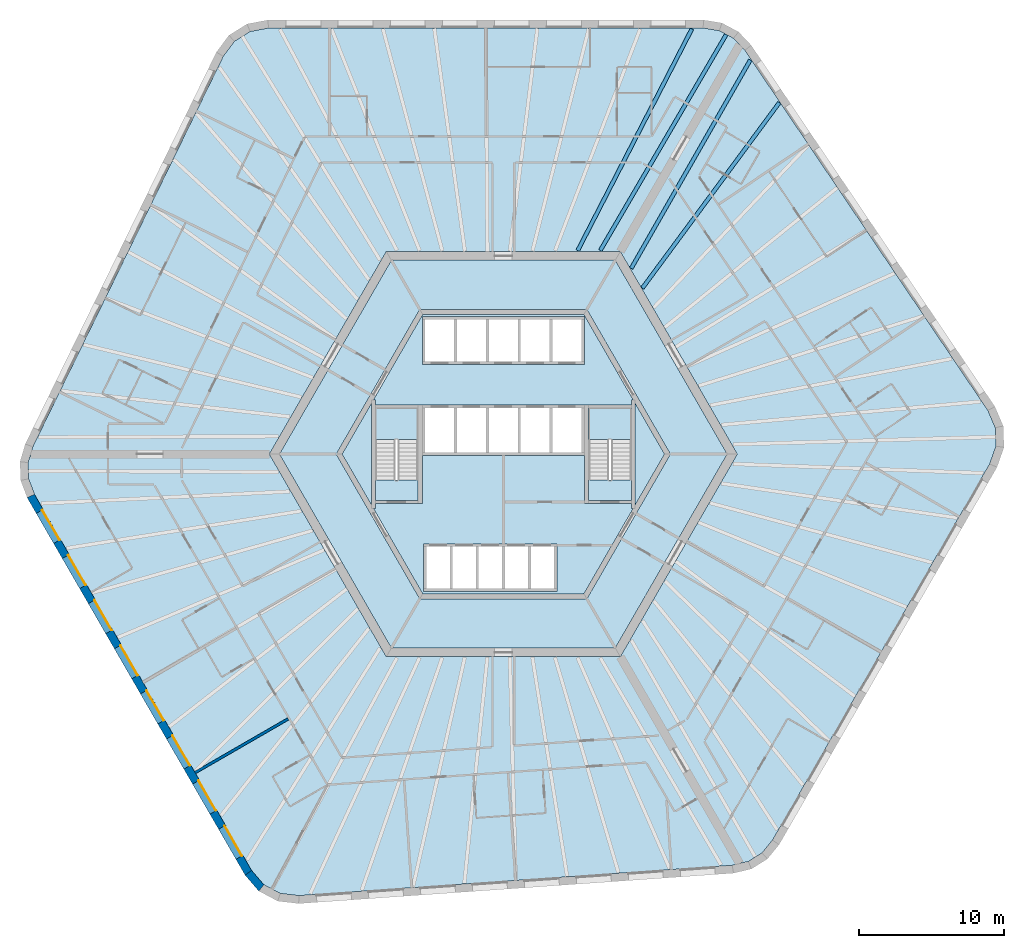
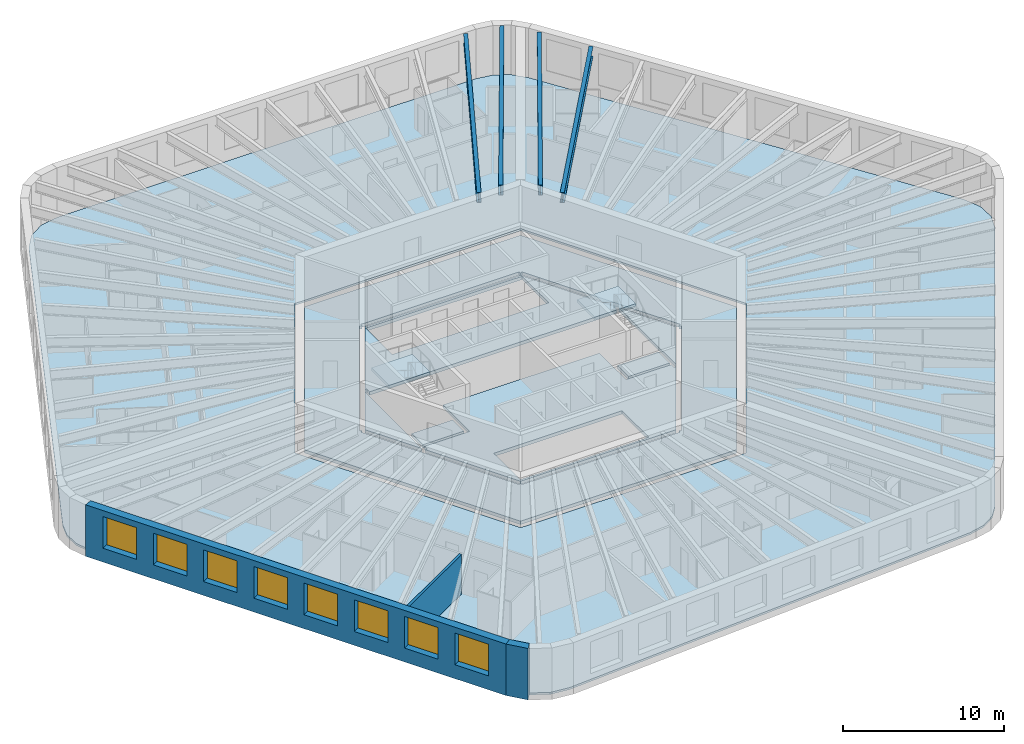
# One storey, part 2 of 12: 10 slabs, 8 windows, 4 beams, 3 walls, 8 openings, 2 elements without a shape of their own.
"""IFC4 building model written with IfcOpenShell, lengths in metres."""

from ifc_helpers import new_model, si_unit, direction, frame, frame_2d, origin, origin_2d, place, context, subcontext, project, spatial, polyline, rectangle, i_section, outline, extrude, material, layer, layer_set, material_profile, profile_set, type_object, element, fill, aggregate, save


model = new_model("IFC4")

# Units and contexts
model_context = context("Model", 3, precision=1e-05, world=origin(), true_north=direction((0.0, 1.0)))
body_context = subcontext(model_context, "Body", "Model", "MODEL_VIEW")
ifc_project = project(units=[si_unit("LENGTHUNIT", "METRE"), si_unit("AREAUNIT", "SQUARE_METRE"), si_unit("VOLUMEUNIT", "CUBIC_METRE"), si_unit("PLANEANGLEUNIT", "RADIAN"), si_unit("MASSUNIT", "GRAM", prefix="KILO")], contexts=[model_context])

# Site, building, storey
site_placement = place(None, origin())
site = spatial("IfcSite", under=ifc_project, at=site_placement, CompositionType="ELEMENT")
building_placement = place(site_placement, origin())
building = spatial("IfcBuilding", under=site, at=building_placement, Name="Tarnside Tower", CompositionType="ELEMENT")
storey_placement = place(building_placement, frame((0.0, 0.0, 76.5)))
storey = spatial("IfcBuildingStorey", under=building, at=storey_placement, Name="L16", CompositionType="ELEMENT", Elevation=76.5)

# Beams
ifc_material_1 = material(Name="Steel S355", Category="steel")
ifc_material_profile = material_profile(ifc_material_1, i_section(OverallWidth=0.2666015625, OverallDepth=0.76220703125, WebThickness=0.014404296875, FlangeThickness=0.021484375, FilletRadius=0.0166015625, at=origin_2d()), Name="UB 762x267x173")
ifc_profile_set = profile_set([ifc_material_profile], Name="Steel S355")
beam_type = type_object("IfcBeamType", Name="Floor beam UB 762x267x173", PredefinedType="BEAM", material=ifc_profile_set)
beam_1_placement = place(storey_placement, frame((13.0283203125, 29.37890625, 3.368896484375), z_axis=(-0.457973226459, -0.888965985765, 0.0), x_axis=(0.888965985765, -0.457973226459, 0.0)))
element("IfcBeam", 1, at=beam_1_placement, inside=storey, type_object=beam_type, Name="Floor beam F1.01", PredefinedType="BEAM", context=body_context, shape_type="SweptSolid", body=[
    extrude(i_section(OverallWidth=0.2666015625, OverallDepth=0.76220703125, WebThickness=0.014404296875, FlangeThickness=0.021484375, FilletRadius=0.0166015625, at=origin_2d()), origin(), (0.0, 0.0, 1.0), 17.219970703125),
])
beam_2_placement = place(storey_placement, frame((19.072021484375, 24.28857421875, 3.368896484375), z_axis=(-0.593986893499, -0.804474717037, 0.0), x_axis=(0.804474717037, -0.593986893499, 0.0)))
element("IfcBeam", 2, at=beam_2_placement, inside=storey, type_object=beam_type, Name="Floor beam F6.08", PredefinedType="BEAM", context=body_context, shape_type="SweptSolid", body=[
    extrude(i_section(OverallWidth=0.2666015625, OverallDepth=0.76220703125, WebThickness=0.014404296875, FlangeThickness=0.021484375, FilletRadius=0.0166015625, at=origin_2d()), origin(), (0.0, 0.0, 1.0), 15.934326171875),
])
beam_3_placement = place(storey_placement, frame((17.066162109375, 27.235107421875, 3.368896484375), z_axis=(-0.49622611841, -0.868193319145, 0.0), x_axis=(0.868193319145, -0.49622611841, 0.0)))
element("IfcBeam", 3, at=beam_3_placement, inside=storey, type_object=beam_type, Name="Floor beam F6.09", PredefinedType="BEAM", context=body_context, shape_type="SweptSolid", body=[
    extrude(i_section(OverallWidth=0.2666015625, OverallDepth=0.76220703125, WebThickness=0.014404296875, FlangeThickness=0.021484375, FilletRadius=0.0166015625, at=origin_2d()), origin(), (0.0, 0.0, 1.0), 16.586669921875),
])
beam_4_placement = place(storey_placement, frame((15.4013671875, 28.990478515625, 3.368896484375), z_axis=(-0.503858723096, -0.863786077198, 0.0), x_axis=(0.863786077198, -0.503858723096, 0.0)))
element("IfcBeam", 4, at=beam_4_placement, inside=storey, type_object=beam_type, Name="Floor beam C6", PredefinedType="BEAM", context=body_context, shape_type="SweptSolid", body=[
    extrude(i_section(OverallWidth=0.2666015625, OverallDepth=0.76220703125, WebThickness=0.014404296875, FlangeThickness=0.021484375, FilletRadius=0.0166015625, at=origin_2d()), origin(), (0.0, 0.0, 1.0), 17.2744140625),
])

# Slabs
ifc_material_2 = material(Name="Concrete C35/45", Category="concrete")
ifc_layer_1 = layer(ifc_material_2, 0.14990234375)
ifc_layer_set_1 = layer_set([ifc_layer_1], Name="Composite floor slab 150")
slab_type_1 = type_object("IfcSlabType", Name="Composite floor slab 150", PredefinedType="FLOOR", material=ifc_layer_set_1)
slab_1_placement = place(storey_placement, frame((0.0, 0.0, -0.14990234375)))
element("IfcSlab", 5, at=slab_1_placement, inside=storey, type_object=slab_type_1, Name="Floor slab L16", PredefinedType="FLOOR", context=body_context, shape_type="SweptSolid", body=[
    extrude(outline(polyline([(14.927490234375, 29.264892578125), (15.91455078125, 28.740234375), (16.697265625, 27.91064453125), (33.48583984375, 3.0205078125), (34.001220703125, 1.825439453125), (34.0458984375, 0.55078125), (33.614990234375, -0.67724609375), (18.603515625, -26.677978515625), (17.880615234375, -27.56005859375), (16.9326171875, -28.15234375), (15.82275390625, -28.41552734375), (-14.127197265625, -30.509765625), (-15.419921875, -30.358642578125), (-16.5458984375, -29.760009765625), (-17.39404296875, -28.772705078125), (-32.405517578125, -2.772216796875), (-32.80810546875, -1.704833984375), (-32.846923828125, -0.587890625), (-32.52001953125, 0.5048828125), (-19.358642578125, 27.4892578125), (-18.58154296875, 28.533203125), (-17.5, 29.208984375), (-16.220947265625, 29.449951171875), (13.802001953125, 29.449951171875), (14.927490234375, 29.264892578125)]), holes=[polyline([(-16.165771484375, 0.0), (-8.0830078125, -14.0), (8.0830078125, -14.0), (16.165771484375, 0.0), (8.0830078125, 14.0), (-8.0830078125, 14.0), (-16.165771484375, 0.0)])]), origin(), (0.0, 0.0, 1.0), 0.14990234375),
])
ifc_material_3 = material(Name="Concrete C40/50", Category="concrete")
ifc_layer_2 = layer(ifc_material_3, 0.25)
ifc_layer_set_2 = layer_set([ifc_layer_2], Name="Core slab C40/50")
slab_type_2 = type_object("IfcSlabType", Name="Core slab C40/50", PredefinedType="FLOOR", material=ifc_layer_set_2)
slab_2_placement = place(storey_placement, frame((0.0, 0.0, -0.25)))
element("IfcSlab", 6, at=slab_2_placement, inside=storey, type_object=slab_type_2, Name="L16 core floor slab 1", PredefinedType="FLOOR", context=body_context, shape_type="SweptSolid", body=[
    extrude(outline(polyline([(-15.472900390625, 0.0), (-7.736572265625, 13.39990234375), (7.736572265625, 13.39990234375), (15.472900390625, 0.0), (7.736572265625, -13.39990234375), (-7.736572265625, -13.39990234375), (-15.472900390625, 0.0)]), holes=[polyline([(5.823974609375, -9.91259765625), (11.49658203125, -0.08740234375), (11.344970703125, 0.0), (11.49658203125, 0.08740234375), (5.823974609375, 9.91259765625), (5.672607421875, 9.824951171875), (5.672607421875, 10.0), (-5.672607421875, 10.0), (-5.672607421875, 9.824951171875), (-5.823974609375, 9.91259765625), (-11.49658203125, 0.08740234375), (-11.344970703125, 0.0), (-11.49658203125, -0.08740234375), (-5.823974609375, -9.91259765625), (-5.672607421875, -9.824951171875), (-5.672607421875, -10.0), (5.672607421875, -10.0), (5.672607421875, -9.824951171875), (5.823974609375, -9.91259765625)])]), origin(), (0.0, 0.0, 1.0), 0.25),
])
slab_3_placement = place(storey_placement, frame((0.0, 0.0, -0.25)))
element("IfcSlab", 7, at=slab_3_placement, inside=storey, type_object=slab_type_2, Name="L16 core floor slab 2", PredefinedType="FLOOR", context=body_context, shape_type="SweptSolid", body=[
    extrude(outline(polyline([(-8.97509765625, 3.7548828125), (-5.5712890625, 9.64990234375), (5.5712890625, 9.64990234375), (8.97509765625, 3.7548828125), (8.85009765625, 3.7548828125), (8.85009765625, 3.39990234375), (5.89990234375, 3.39990234375), (5.60009765625, 3.39990234375), (5.60009765625, 3.39990234375), (-5.60009765625, 3.39990234375), (-5.89990234375, 3.39990234375), (-8.85009765625, 3.39990234375), (-8.85009765625, 3.7548828125), (-8.97509765625, 3.7548828125)]), holes=[polyline([(-5.60009765625, 6.199951171875), (5.60009765625, 6.199951171875), (5.60009765625, 6.39990234375), (5.60009765625, 9.300048828125), (5.60009765625, 9.5), (-5.60009765625, 9.5), (-5.60009765625, 9.300048828125), (-5.60009765625, 6.39990234375), (-5.60009765625, 6.199951171875)])]), origin(), (0.0, 0.0, 1.0), 0.25),
])
slab_4_placement = place(storey_placement, frame((0.0, 0.0, -0.25)))
element("IfcSlab", 8, at=slab_4_placement, inside=storey, type_object=slab_type_2, Name="L16 core floor slab 3", PredefinedType="FLOOR", context=body_context, shape_type="SweptSolid", body=[
    extrude(outline(polyline([(5.60009765625, -3.39990234375), (5.89990234375, -3.39990234375), (8.85009765625, -3.39990234375), (8.85009765625, -3.7548828125), (8.97509765625, -3.7548828125), (5.5712890625, -9.64990234375), (-5.5712890625, -9.64990234375), (-8.97509765625, -3.7548828125), (-8.85009765625, -3.7548828125), (-8.85009765625, -3.39990234375), (-5.89990234375, -3.39990234375), (-5.60009765625, -3.39990234375), (-5.60009765625, -0.10009765625), (5.60009765625, -0.10009765625), (5.60009765625, -3.39990234375)]), holes=[polyline([(-5.5, -9.300048828125), (-5.5, -9.5), (3.699951171875, -9.5), (3.699951171875, -9.300048828125), (3.699951171875, -6.39990234375), (3.699951171875, -6.199951171875), (-5.5, -6.199951171875), (-5.5, -6.39990234375), (-5.5, -9.300048828125)])]), origin(), (0.0, 0.0, 1.0), 0.25),
])
slab_5_placement = place(storey_placement, frame((0.0, 0.0, -0.25)))
element("IfcSlab", 9, at=slab_5_placement, inside=storey, type_object=slab_type_2, Name="L16 core floor slab 4", PredefinedType="FLOOR", context=body_context, shape_type="SweptSolid", body=[
    extrude(outline(polyline([(-11.142822265625, 0.0), (-9.10009765625, 3.538330078125), (-9.10009765625, -3.538330078125), (-11.142822265625, 0.0)])), origin(), (0.0, 0.0, 1.0), 0.25),
])
slab_6_placement = place(storey_placement, frame((0.0, 0.0, -0.25)))
element("IfcSlab", 10, at=slab_6_placement, inside=storey, type_object=slab_type_2, Name="L16 core floor slab 5", PredefinedType="FLOOR", context=body_context, shape_type="SweptSolid", body=[
    extrude(outline(polyline([(-8.85009765625, -1.800048828125), (-5.89990234375, -1.800048828125), (-5.89990234375, -3.199951171875), (-8.85009765625, -3.199951171875), (-8.85009765625, -1.800048828125)])), origin(), (0.0, 0.0, 1.0), 0.25),
])
slab_7_placement = place(storey_placement, frame((0.0, 0.0, -0.25)))
element("IfcSlab", 11, at=slab_7_placement, inside=storey, type_object=slab_type_2, Name="L16 core floor slab 6", PredefinedType="FLOOR", context=body_context, shape_type="SweptSolid", body=[
    extrude(outline(polyline([(5.89990234375, -3.199951171875), (5.89990234375, -1.800048828125), (8.85009765625, -1.800048828125), (8.85009765625, -3.199951171875), (5.89990234375, -3.199951171875)])), origin(), (0.0, 0.0, 1.0), 0.25),
])
slab_8_placement = place(storey_placement, frame((0.0, 0.0, -0.25)))
element("IfcSlab", 12, at=slab_8_placement, inside=storey, type_object=slab_type_2, Name="L16 core floor slab 7", PredefinedType="FLOOR", context=body_context, shape_type="SweptSolid", body=[
    extrude(outline(polyline([(9.10009765625, -3.538330078125), (9.10009765625, 3.538330078125), (11.142822265625, 0.0), (9.10009765625, -3.538330078125)])), origin(), (0.0, 0.0, 1.0), 0.25),
])

# Stair, slab
stair_type = type_object("IfcStairType", Name="Exit stair 1400 clear", PredefinedType="HALF_TURN_STAIR", material=ifc_material_3)
stair_1_placement = place(storey_placement, origin())
stair_1 = element("IfcStair", 13, at=stair_1_placement, inside=storey, type_object=stair_type, Name="L16 Exit stair 1", PredefinedType="HALF_TURN_STAIR")
ifc_layer_3 = layer(ifc_material_3, 0.199951171875)
ifc_layer_set_3 = layer_set([ifc_layer_3], Name="Stair landing 200 C40/50")
slab_type_3 = type_object("IfcSlabType", Name="Stair landing 200 C40/50", PredefinedType="LANDING", material=ifc_layer_set_3)
slab_9_placement = place(storey_placement, frame((0.0, 0.0, 1.75)))
slab_9 = element("IfcSlab", 14, at=slab_9_placement, type_object=slab_type_3, Name="ST1 landing 1", PredefinedType="LANDING", context=body_context, shape_type="SweptSolid", body=[
    extrude(outline(polyline([(8.85009765625, 1.0), (8.85009765625, 3.199951171875), (5.89990234375, 3.199951171875), (5.89990234375, 1.0), (8.85009765625, 1.0)])), origin(), (0.0, 0.0, 1.0), 0.199951171875),
])
aggregate(stair_1, [slab_9])

stair_2_placement = place(storey_placement, origin())
stair_2 = element("IfcStair", 15, at=stair_2_placement, inside=storey, type_object=stair_type, Name="L16 Exit stair 2", PredefinedType="HALF_TURN_STAIR")
slab_10_placement = place(storey_placement, frame((0.0, 0.0, 1.75)))
slab_10 = element("IfcSlab", 16, at=slab_10_placement, type_object=slab_type_3, Name="ST2 landing 1", PredefinedType="LANDING", context=body_context, shape_type="SweptSolid", body=[
    extrude(outline(polyline([(-5.89990234375, 1.0), (-5.89990234375, 3.199951171875), (-8.85009765625, 3.199951171875), (-8.85009765625, 1.0), (-5.89990234375, 1.0)])), origin(), (0.0, 0.0, 1.0), 0.199951171875),
])
aggregate(stair_2, [slab_10])

# Wall
ifc_material_4 = material(Name="Gypsum board partition on steel studs", Category="steel")
ifc_layer_4 = layer(ifc_material_4, 0.179931640625)
ifc_layer_set_4 = layer_set([ifc_layer_4], Name="Demising wall 180 EI 60")
wall_type_1 = type_object("IfcWallType", Name="Demising wall 180 EI 60", PredefinedType="PARTITIONING", material=ifc_layer_set_4)
wall_1_placement = place(storey_placement, frame((-21.298828125, -22.00927734375, 0.0), z_axis=(0.0, 0.0, 1.0), x_axis=(0.866014745021, 0.500018461065, 0.0)))
element("IfcWall", 17, at=wall_1_placement, inside=storey, type_object=wall_type_1, Name="Demising wall 04114", PredefinedType="PARTITIONING", context=body_context, shape_type="SweptSolid", body=[
    extrude(rectangle(XDim=7.425048828125, YDim=0.179931640625, at=frame_2d((3.71240234375, 0.0))), origin(), (0.0, 0.0, 1.0), 2.98779296875),
])

# Wall, openings, windows
ifc_material_5 = material(Name="Facing brick", Category="masonry")
ifc_layer_5 = layer(ifc_material_5, 0.10205078125)
ifc_material_6 = material(Name="Concrete C60/75 precast", Category="concrete")
ifc_layer_6 = layer(ifc_material_6, 0.347900390625)
ifc_material_7 = material(Name="Mineral wool insulation")
ifc_layer_7 = layer(ifc_material_7, 0.10009765625)
ifc_layer_set_5 = layer_set([ifc_layer_5, ifc_layer_6, ifc_layer_7], Name="Tube wall 550 brick faced")
wall_type_2 = type_object("IfcWallType", Name="Tube wall 550 brick faced", PredefinedType="SOLIDWALL", material=ifc_layer_set_5)
wall_2_placement = place(storey_placement, frame((-32.65478515625, -2.89013671875, -0.14990234375), z_axis=(0.0, 0.0, 1.0), x_axis=(0.499997711317, -0.866026725152, 0.0)))
wall_2 = element("IfcWall", 18, at=wall_2_placement, inside=storey, type_object=wall_type_2, Name="Tube wall L16 F3 flush 08", PredefinedType="SOLIDWALL", context=body_context, shape_type="SweptSolid", body=[
    extrude(outline(polyline([(-0.0224609375, -0.27490234375), (30.0966796875, -0.27490234375), (30.04541015625, 0.27490234375), (0.0224609375, 0.27490234375), (-0.0224609375, -0.27490234375)])), origin(), (0.0, 0.0, 1.0), 3.89990234375),
])
opening_1_placement = place(wall_2_placement, frame((1.235595703125, 0.0, 1.050048828125)))
opening_1 = element("IfcOpeningElement", 19, at=opening_1_placement, cuts=wall_2, Name="Opening WH", PredefinedType="OPENING", context=body_context, shape_type="SweptSolid", body=[
    extrude(rectangle(XDim=2.39990234375, YDim=2.39990234375, at=frame_2d((1.199951171875, 1.199951171875))), frame((0.0, 0.28515625, 0.0), z_axis=(0.0, -1.0, 0.0), x_axis=(1.0, 0.0, 0.0)), (0.0, 0.0, 1.0), 0.570068359375),
])
opening_2_placement = place(wall_2_placement, frame((4.83544921875, 0.0, 1.050048828125)))
opening_2 = element("IfcOpeningElement", 20, at=opening_2_placement, cuts=wall_2, Name="Opening WH", PredefinedType="OPENING", context=body_context, shape_type="SweptSolid", body=[
    extrude(rectangle(XDim=2.39990234375, YDim=2.39990234375, at=frame_2d((1.199951171875, 1.199951171875))), frame((0.0, 0.28515625, 0.0), z_axis=(0.0, -1.0, 0.0), x_axis=(1.0, 0.0, 0.0)), (0.0, 0.0, 1.0), 0.570068359375),
])
opening_3_placement = place(wall_2_placement, frame((8.435546875, 0.0, 1.050048828125)))
opening_3 = element("IfcOpeningElement", 21, at=opening_3_placement, cuts=wall_2, Name="Opening WH", PredefinedType="OPENING", context=body_context, shape_type="SweptSolid", body=[
    extrude(rectangle(XDim=2.39990234375, YDim=2.39990234375, at=frame_2d((1.199951171875, 1.199951171875))), frame((0.0, 0.28515625, 0.0), z_axis=(0.0, -1.0, 0.0), x_axis=(1.0, 0.0, 0.0)), (0.0, 0.0, 1.0), 0.570068359375),
])
opening_4_placement = place(wall_2_placement, frame((12.035400390625, 0.0, 1.050048828125)))
opening_4 = element("IfcOpeningElement", 22, at=opening_4_placement, cuts=wall_2, Name="Opening WH", PredefinedType="OPENING", context=body_context, shape_type="SweptSolid", body=[
    extrude(rectangle(XDim=2.39990234375, YDim=2.39990234375, at=frame_2d((1.199951171875, 1.199951171875))), frame((0.0, 0.28515625, 0.0), z_axis=(0.0, -1.0, 0.0), x_axis=(1.0, 0.0, 0.0)), (0.0, 0.0, 1.0), 0.570068359375),
])
opening_5_placement = place(wall_2_placement, frame((15.635498046875, 0.0, 1.050048828125)))
opening_5 = element("IfcOpeningElement", 23, at=opening_5_placement, cuts=wall_2, Name="Opening WH", PredefinedType="OPENING", context=body_context, shape_type="SweptSolid", body=[
    extrude(rectangle(XDim=2.39990234375, YDim=2.39990234375, at=frame_2d((1.199951171875, 1.199951171875))), frame((0.0, 0.28515625, 0.0), z_axis=(0.0, -1.0, 0.0), x_axis=(1.0, 0.0, 0.0)), (0.0, 0.0, 1.0), 0.570068359375),
])
opening_6_placement = place(wall_2_placement, frame((19.235595703125, 0.0, 1.050048828125)))
opening_6 = element("IfcOpeningElement", 24, at=opening_6_placement, cuts=wall_2, Name="Opening WH", PredefinedType="OPENING", context=body_context, shape_type="SweptSolid", body=[
    extrude(rectangle(XDim=2.39990234375, YDim=2.39990234375, at=frame_2d((1.199951171875, 1.199951171875))), frame((0.0, 0.28515625, 0.0), z_axis=(0.0, -1.0, 0.0), x_axis=(1.0, 0.0, 0.0)), (0.0, 0.0, 1.0), 0.570068359375),
])
opening_7_placement = place(wall_2_placement, frame((22.83544921875, 0.0, 1.050048828125)))
opening_7 = element("IfcOpeningElement", 25, at=opening_7_placement, cuts=wall_2, Name="Opening WH", PredefinedType="OPENING", context=body_context, shape_type="SweptSolid", body=[
    extrude(rectangle(XDim=2.39990234375, YDim=2.39990234375, at=frame_2d((1.199951171875, 1.199951171875))), frame((0.0, 0.28515625, 0.0), z_axis=(0.0, -1.0, 0.0), x_axis=(1.0, 0.0, 0.0)), (0.0, 0.0, 1.0), 0.570068359375),
])
opening_8_placement = place(wall_2_placement, frame((26.435546875, 0.0, 1.050048828125)))
opening_8 = element("IfcOpeningElement", 26, at=opening_8_placement, cuts=wall_2, Name="Opening WH", PredefinedType="OPENING", context=body_context, shape_type="SweptSolid", body=[
    extrude(rectangle(XDim=2.39990234375, YDim=2.39990234375, at=frame_2d((1.199951171875, 1.199951171875))), frame((0.0, 0.28515625, 0.0), z_axis=(0.0, -1.0, 0.0), x_axis=(1.0, 0.0, 0.0)), (0.0, 0.0, 1.0), 0.570068359375),
])
ifc_material_8 = material(Name="Aluminium-framed double glazing", Category="aluminium")
window_type = type_object("IfcWindowType", Name="Hotel window 2400 x 2400", PartitioningType="DOUBLE_PANEL_VERTICAL", PredefinedType="WINDOW", material=ifc_material_8)
window_1_placement = place(opening_1_placement, frame((0.0, 0.205078125, 0.0)))
window_1 = element("IfcWindow", 27, at=window_1_placement, inside=storey, type_object=window_type, Name="E.WN.L16.F3.00", OverallHeight=2.39990234375, OverallWidth=2.39990234375, PartitioningType="DOUBLE_PANEL_VERTICAL", PredefinedType="WINDOW", context=body_context, shape_type="SweptSolid", body=[
    extrude(rectangle(XDim=2.39990234375, YDim=2.39990234375, at=frame_2d((1.199951171875, 1.199951171875))), frame((0.0, 0.030029296875, 0.0), z_axis=(0.0, -1.0, 0.0), x_axis=(1.0, 0.0, 0.0)), (0.0, 0.0, 1.0), 0.06005859375),
])
fill(opening_1, window_1)
window_2_placement = place(opening_2_placement, frame((0.0, 0.205078125, 0.0)))
window_2 = element("IfcWindow", 28, at=window_2_placement, inside=storey, type_object=window_type, Name="E.WN.L16.F3.01", OverallHeight=2.39990234375, OverallWidth=2.39990234375, PartitioningType="DOUBLE_PANEL_VERTICAL", PredefinedType="WINDOW", context=body_context, shape_type="SweptSolid", body=[
    extrude(rectangle(XDim=2.39990234375, YDim=2.39990234375, at=frame_2d((1.199951171875, 1.199951171875))), frame((0.0, 0.030029296875, 0.0), z_axis=(0.0, -1.0, 0.0), x_axis=(1.0, 0.0, 0.0)), (0.0, 0.0, 1.0), 0.06005859375),
])
fill(opening_2, window_2)
window_3_placement = place(opening_3_placement, frame((0.0, 0.205078125, 0.0)))
window_3 = element("IfcWindow", 29, at=window_3_placement, inside=storey, type_object=window_type, Name="E.WN.L16.F3.02", OverallHeight=2.39990234375, OverallWidth=2.39990234375, PartitioningType="DOUBLE_PANEL_VERTICAL", PredefinedType="WINDOW", context=body_context, shape_type="SweptSolid", body=[
    extrude(rectangle(XDim=2.39990234375, YDim=2.39990234375, at=frame_2d((1.199951171875, 1.199951171875))), frame((0.0, 0.030029296875, 0.0), z_axis=(0.0, -1.0, 0.0), x_axis=(1.0, 0.0, 0.0)), (0.0, 0.0, 1.0), 0.06005859375),
])
fill(opening_3, window_3)
window_4_placement = place(opening_4_placement, frame((0.0, 0.205078125, 0.0)))
window_4 = element("IfcWindow", 30, at=window_4_placement, inside=storey, type_object=window_type, Name="E.WN.L16.F3.03", OverallHeight=2.39990234375, OverallWidth=2.39990234375, PartitioningType="DOUBLE_PANEL_VERTICAL", PredefinedType="WINDOW", context=body_context, shape_type="SweptSolid", body=[
    extrude(rectangle(XDim=2.39990234375, YDim=2.39990234375, at=frame_2d((1.199951171875, 1.199951171875))), frame((0.0, 0.030029296875, 0.0), z_axis=(0.0, -1.0, 0.0), x_axis=(1.0, 0.0, 0.0)), (0.0, 0.0, 1.0), 0.06005859375),
])
fill(opening_4, window_4)
window_5_placement = place(opening_5_placement, frame((0.0, 0.205078125, 0.0)))
window_5 = element("IfcWindow", 31, at=window_5_placement, inside=storey, type_object=window_type, Name="E.WN.L16.F3.04", OverallHeight=2.39990234375, OverallWidth=2.39990234375, PartitioningType="DOUBLE_PANEL_VERTICAL", PredefinedType="WINDOW", context=body_context, shape_type="SweptSolid", body=[
    extrude(rectangle(XDim=2.39990234375, YDim=2.39990234375, at=frame_2d((1.199951171875, 1.199951171875))), frame((0.0, 0.030029296875, 0.0), z_axis=(0.0, -1.0, 0.0), x_axis=(1.0, 0.0, 0.0)), (0.0, 0.0, 1.0), 0.06005859375),
])
fill(opening_5, window_5)
window_6_placement = place(opening_6_placement, frame((0.0, 0.205078125, 0.0)))
window_6 = element("IfcWindow", 32, at=window_6_placement, inside=storey, type_object=window_type, Name="E.WN.L16.F3.05", OverallHeight=2.39990234375, OverallWidth=2.39990234375, PartitioningType="DOUBLE_PANEL_VERTICAL", PredefinedType="WINDOW", context=body_context, shape_type="SweptSolid", body=[
    extrude(rectangle(XDim=2.39990234375, YDim=2.39990234375, at=frame_2d((1.199951171875, 1.199951171875))), frame((0.0, 0.030029296875, 0.0), z_axis=(0.0, -1.0, 0.0), x_axis=(1.0, 0.0, 0.0)), (0.0, 0.0, 1.0), 0.06005859375),
])
fill(opening_6, window_6)
window_7_placement = place(opening_7_placement, frame((0.0, 0.205078125, 0.0)))
window_7 = element("IfcWindow", 33, at=window_7_placement, inside=storey, type_object=window_type, Name="E.WN.L16.F3.06", OverallHeight=2.39990234375, OverallWidth=2.39990234375, PartitioningType="DOUBLE_PANEL_VERTICAL", PredefinedType="WINDOW", context=body_context, shape_type="SweptSolid", body=[
    extrude(rectangle(XDim=2.39990234375, YDim=2.39990234375, at=frame_2d((1.199951171875, 1.199951171875))), frame((0.0, 0.030029296875, 0.0), z_axis=(0.0, -1.0, 0.0), x_axis=(1.0, 0.0, 0.0)), (0.0, 0.0, 1.0), 0.06005859375),
])
fill(opening_7, window_7)
window_8_placement = place(opening_8_placement, frame((0.0, 0.205078125, 0.0)))
window_8 = element("IfcWindow", 34, at=window_8_placement, inside=storey, type_object=window_type, Name="E.WN.L16.F3.07", OverallHeight=2.39990234375, OverallWidth=2.39990234375, PartitioningType="DOUBLE_PANEL_VERTICAL", PredefinedType="WINDOW", context=body_context, shape_type="SweptSolid", body=[
    extrude(rectangle(XDim=2.39990234375, YDim=2.39990234375, at=frame_2d((1.199951171875, 1.199951171875))), frame((0.0, 0.030029296875, 0.0), z_axis=(0.0, -1.0, 0.0), x_axis=(1.0, 0.0, 0.0)), (0.0, 0.0, 1.0), 0.06005859375),
])
fill(opening_8, window_8)

# Wall
wall_3_placement = place(storey_placement, frame((-17.619384765625, -28.932373046875, -0.14990234375), z_axis=(0.0, 0.0, 1.0), x_axis=(0.651621950847, -0.758543890078, 0.0)))
element("IfcWall", 35, at=wall_3_placement, inside=storey, type_object=wall_type_2, Name="Tube wall L16 F3 chord 09", PredefinedType="SOLIDWALL", context=body_context, shape_type="SweptSolid", body=[
    extrude(outline(polyline([(-0.025634765625, -0.27490234375), (1.430908203125, -0.27490234375), (1.327392578125, 0.27490234375), (0.025634765625, 0.27490234375), (-0.025634765625, -0.27490234375)])), origin(), (0.0, 0.0, 1.0), 3.89990234375),
])

save(model, "model.ifc")
